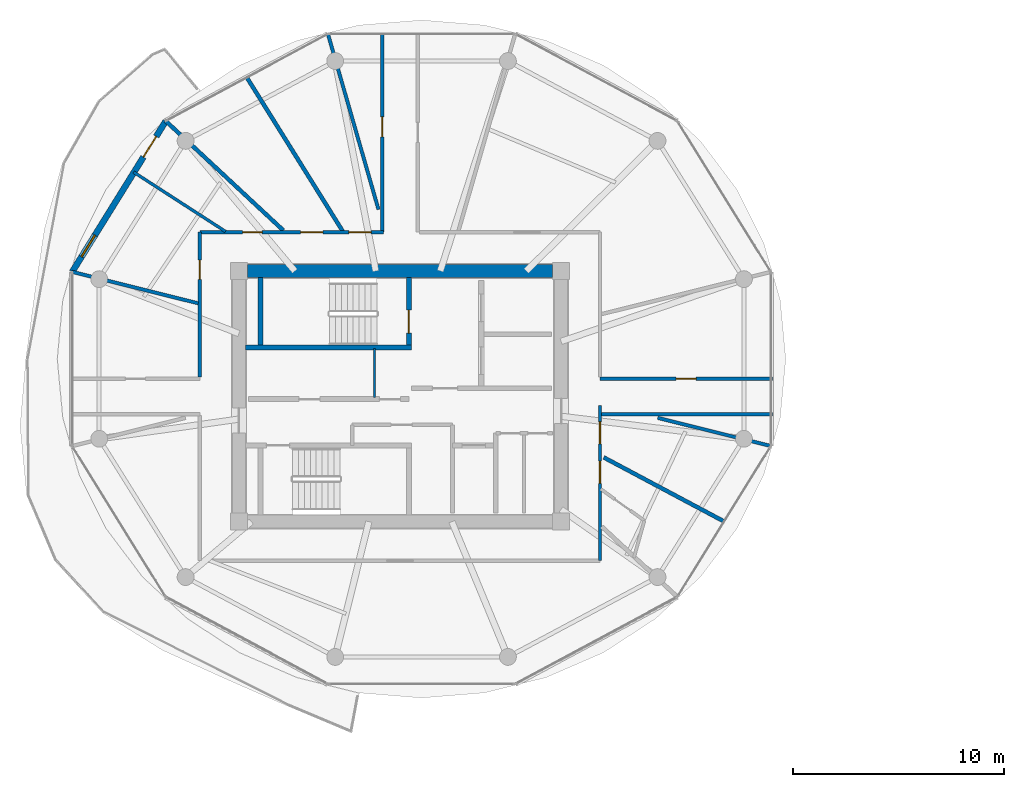
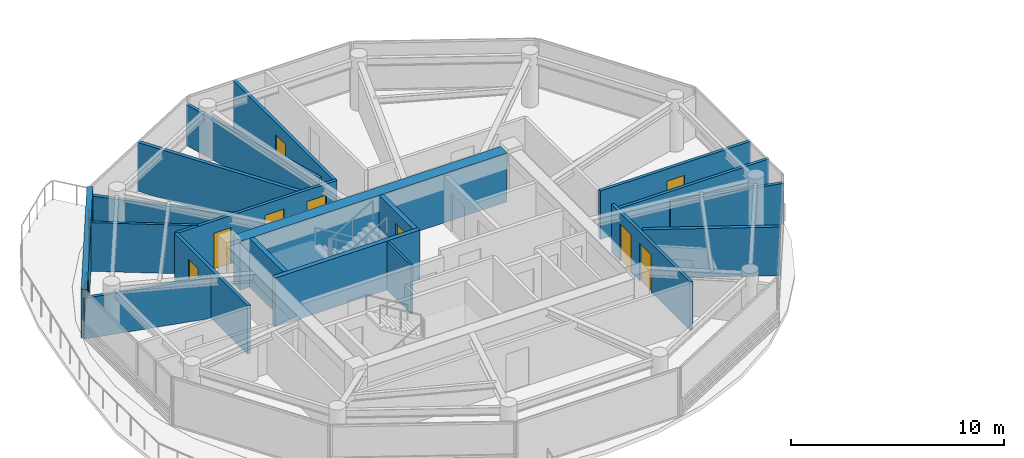
# One storey, part 14 of 23: 19 walls, 10 doors, 1 window, 11 openings.
"""IFC4 building model written with IfcOpenShell, lengths in metres."""

from ifc_helpers import new_model, si_unit, direction, frame, frame_2d, origin, place, context, subcontext, project, spatial, rectangle, extrude, source, transform, mapped, material, layer, layer_set, type_object, type_shapes, element, fill, save


model = new_model("IFC4")

# Units and contexts
model_context = context("Model", 3, precision=1e-05, world=origin(), true_north=direction((0.0, 1.0)))
body_context = subcontext(model_context, "Body", "Model", "MODEL_VIEW")
ifc_project = project(units=[si_unit("LENGTHUNIT", "METRE"), si_unit("AREAUNIT", "SQUARE_METRE"), si_unit("VOLUMEUNIT", "CUBIC_METRE"), si_unit("PLANEANGLEUNIT", "RADIAN"), si_unit("MASSUNIT", "GRAM", prefix="KILO")], contexts=[model_context])

# Site, building, storey
site_placement = place(None, origin())
site = spatial("IfcSite", under=ifc_project, at=site_placement, CompositionType="ELEMENT")
building_placement = place(site_placement, origin())
building = spatial("IfcBuilding", under=site, at=building_placement, Name="Norrkilde Senior Care Towers", CompositionType="ELEMENT")
storey_placement = place(building_placement, frame((0.0, 0.0, 164.800048828125)))
storey = spatial("IfcBuildingStorey", under=building, at=storey_placement, Name="L51", CompositionType="ELEMENT", Elevation=164.800048828125)

# Wall
ifc_material_1 = material(Name="Concrete C50/60", Category="concrete")
ifc_layer_1 = layer(ifc_material_1, 0.6201171875)
ifc_layer_set_1 = layer_set([ifc_layer_1], Name="Concrete C50/60")
wall_type_1 = type_object("IfcWallType", Name="Core Shear Wall Z3 620", PredefinedType="SHEAR", material=ifc_layer_set_1)
shared_shape_1 = source(origin(), body_context, "Body", "SweptSolid", [
    extrude(rectangle(XDim=14.5, YDim=0.6201171875, at=frame_2d((7.25, 0.0))), origin(), (0.0, 0.0, 1.0), 2.81005859375),
])
type_shapes(wall_type_1, [shared_shape_1])
wall_1_placement = place(storey_placement, frame((-35.25, 5.949951171875, 0.0), z_axis=(0.0, 0.0, 1.0), x_axis=(1.0, 0.0, 0.0)))
element("IfcWall", 1, at=wall_1_placement, inside=storey, type_object=wall_type_1, Name="L51 Core W North Shear Wall", PredefinedType="SHEAR", context=body_context, shape_type="MappedRepresentation", body=[
    mapped(shared_shape_1, transform((0.0, 0.0, 0.0), x_axis=(1.0, 0.0, 0.0), y_axis=(0.0, 1.0, 0.0), z_axis=(0.0, 0.0, 1.0), scale=1.0)),
])

# Wall, openings, door, window
ifc_material_2 = material(Name="Precast concrete C45/55", Category="concrete")
ifc_layer_2 = layer(ifc_material_2, 0.2900390625)
ifc_layer_set_2 = layer_set([ifc_layer_2], Name="Precast concrete C45/55")
wall_type_2 = type_object("IfcWallType", Name="Winter Garden Facade Wall 290", PredefinedType="SOLIDWALL", material=ifc_layer_set_2)
shared_shape_2 = source(origin(), body_context, "Body", "SweptSolid", [
    extrude(rectangle(XDim=8.431396484375, YDim=0.2900390625, at=frame_2d((4.2158203125, 0.0))), origin(), (0.0, 0.0, 1.0), 2.81005859375),
])
type_shapes(wall_type_2, [shared_shape_2])
wall_2_placement = place(storey_placement, frame((-43.569580078125, 5.911376953125, 0.0), z_axis=(0.0, 0.0, 1.0), x_axis=(0.527377998418, 0.849630770855, 0.0)))
wall_2 = element("IfcWall", 2, at=wall_2_placement, inside=storey, type_object=wall_type_2, Name="L51 Drum W Balcony Access Wall 04", PredefinedType="SOLIDWALL", context=body_context, shape_type="MappedRepresentation", body=[
    mapped(shared_shape_2, transform((0.0, 0.0, 0.0), x_axis=(1.0, 0.0, 0.0), y_axis=(0.0, 1.0, 0.0), z_axis=(0.0, 0.0, 1.0), scale=1.0)),
])
opening_1_placement = place(wall_2_placement, frame((6.419921875, 0.0, 0.0)))
opening_1 = element("IfcOpeningElement", 3, at=opening_1_placement, cuts=wall_2, Name="Opening D-09", PredefinedType="OPENING", context=body_context, shape_type="SweptSolid", body=[
    extrude(rectangle(XDim=1.14990234375, YDim=2.25, at=frame_2d((0.574951171875, 1.125))), frame((0.0, 0.155029296875, 0.0), z_axis=(0.0, -1.0, 0.0), x_axis=(1.0, 0.0, 0.0)), (0.0, 0.0, 1.0), 0.31005859375),
])
opening_2_placement = place(wall_2_placement, frame((0.85009765625, 0.0, 0.85009765625)))
opening_2 = element("IfcOpeningElement", 4, at=opening_2_placement, cuts=wall_2, Name="Opening WN-07", PredefinedType="OPENING", context=body_context, shape_type="SweptSolid", body=[
    extrude(rectangle(XDim=1.199951171875, YDim=1.5, at=frame_2d((0.60009765625, 0.75))), frame((0.0, 0.155029296875, 0.0), z_axis=(0.0, -1.0, 0.0), x_axis=(1.0, 0.0, 0.0)), (0.0, 0.0, 1.0), 0.31005859375),
])
ifc_material_3 = material(Name="Anodised Aluminium", Category="aluminium")
door_type_1 = type_object("IfcDoorType", Name="Terrace and Balcony Glazed Door 1150x2250", OperationType="NOTDEFINED", PredefinedType="DOOR", material=ifc_material_3)
shared_shape_3 = source(origin(), body_context, "Body", "SweptSolid", [
    extrude(rectangle(XDim=1.14990234375, YDim=2.25, at=frame_2d((0.574951171875, 1.125))), frame((0.0, 0.02490234375, 0.0), z_axis=(0.0, -1.0, 0.0), x_axis=(1.0, 0.0, 0.0)), (0.0, 0.0, 1.0), 0.050048828125),
])
type_shapes(door_type_1, [shared_shape_3])
door_1_placement = place(opening_1_placement, origin())
door_1 = element("IfcDoor", 5, at=door_1_placement, inside=storey, type_object=door_type_1, Name="L51 Drum W Outdoor Terrace Door 04", OperationType="SINGLE_SWING_LEFT", OverallHeight=2.25, OverallWidth=1.14990234375, PredefinedType="DOOR", context=body_context, shape_type="MappedRepresentation", body=[
    mapped(shared_shape_3, transform((0.0, 0.0, 0.0), x_axis=(1.0, 0.0, 0.0), y_axis=(0.0, 1.0, 0.0), z_axis=(0.0, 0.0, 1.0), scale=1.0)),
])
fill(opening_1, door_1)
ifc_material_4 = material(Name="Triple Low-E Insulated Glazing", Category="glass")
window_type = type_object("IfcWindowType", Name="Stairwell Smoke Vent Window 1200x1500", PartitioningType="SINGLE_PANEL", PredefinedType="WINDOW", material=ifc_material_4)
shared_shape_4 = source(origin(), body_context, "Body", "SweptSolid", [
    extrude(rectangle(XDim=1.199951171875, YDim=1.5, at=frame_2d((0.60009765625, 0.75))), frame((0.0, 0.030029296875, 0.0), z_axis=(0.0, -1.0, 0.0), x_axis=(1.0, 0.0, 0.0)), (0.0, 0.0, 1.0), 0.06005859375),
])
type_shapes(window_type, [shared_shape_4])
window_placement = place(opening_2_placement, origin())
window = element("IfcWindow", 6, at=window_placement, inside=storey, type_object=window_type, Name="L51 Drum W Winter Garden Window 04", OverallHeight=1.5, OverallWidth=1.199951171875, PartitioningType="SINGLE_PANEL", PredefinedType="WINDOW", context=body_context, shape_type="MappedRepresentation", body=[
    mapped(shared_shape_4, transform((0.0, 0.0, 0.0), x_axis=(1.0, 0.0, 0.0), y_axis=(0.0, 1.0, 0.0), z_axis=(0.0, 0.0, 1.0), scale=1.0)),
])
fill(opening_2, window)

# Walls
ifc_material_5 = material(Name="Concrete C45/55", Category="concrete")
ifc_layer_3 = layer(ifc_material_5, 0.239990234375)
ifc_layer_set_3 = layer_set([ifc_layer_3], Name="Concrete C45/55")
wall_type_3 = type_object("IfcWallType", Name="Shaft and Stair Enclosure Wall 240", PredefinedType="PARTITIONING", material=ifc_layer_set_3)
shared_shape_5 = source(origin(), body_context, "Body", "SweptSolid", [
    extrude(rectangle(XDim=7.880126953125, YDim=0.239990234375, at=frame_2d((3.93994140625, 0.0))), origin(), (0.0, 0.0, 1.0), 2.81005859375),
])
wall_3_placement = place(storey_placement, frame((-35.340087890625, 2.330078125, 0.0), z_axis=(0.0, 0.0, 1.0), x_axis=(1.0, 0.0, 0.0)))
element("IfcWall", 7, at=wall_3_placement, inside=storey, type_object=wall_type_3, Name="WL-INT-L51-W-ST1S", PredefinedType="PARTITIONING", context=body_context, shape_type="MappedRepresentation", body=[
    mapped(shared_shape_5, transform((0.0, 0.0, 0.0), x_axis=(1.0, 0.0, 0.0), y_axis=(0.0, 1.0, 0.0), z_axis=(0.0, 0.0, 1.0), scale=1.0)),
])
shared_shape_6 = source(origin(), body_context, "Body", "SweptSolid", [
    extrude(rectangle(XDim=3.18994140625, YDim=0.239990234375, at=frame_2d((1.594970703125, 0.0))), origin(), (0.0, 0.0, 1.0), 2.81005859375),
])
type_shapes(wall_type_3, [shared_shape_5, shared_shape_6])
wall_4_placement = place(storey_placement, frame((-34.6201171875, 2.449951171875, 0.0), z_axis=(0.0, 0.0, 1.0), x_axis=(0.0, 1.0, 0.0)))
element("IfcWall", 8, at=wall_4_placement, inside=storey, type_object=wall_type_3, Name="WL-INT-L51-W-ST1W", PredefinedType="PARTITIONING", context=body_context, shape_type="MappedRepresentation", body=[
    mapped(shared_shape_6, transform((0.0, 0.0, 0.0), x_axis=(1.0, 0.0, 0.0), y_axis=(0.0, 1.0, 0.0), z_axis=(0.0, 0.0, 1.0), scale=1.0)),
])

# Wall, opening, door
wall_5_placement = place(storey_placement, frame((-27.580078125, 2.449951171875, 0.0), z_axis=(0.0, 0.0, 1.0), x_axis=(0.0, 1.0, 0.0)))
wall_5 = element("IfcWall", 9, at=wall_5_placement, inside=storey, type_object=wall_type_3, Name="WL-INT-L51-W-ST1E", PredefinedType="PARTITIONING", context=body_context, shape_type="MappedRepresentation", body=[
    mapped(shared_shape_6, transform((0.0, 0.0, 0.0), x_axis=(1.0, 0.0, 0.0), y_axis=(0.0, 1.0, 0.0), z_axis=(0.0, 0.0, 1.0), scale=1.0)),
])
opening_3_placement = place(wall_5_placement, frame((0.550048828125, 0.0, 0.0)))
opening_3 = element("IfcOpeningElement", 10, at=opening_3_placement, cuts=wall_5, Name="Opening D-03", PredefinedType="OPENING", context=body_context, shape_type="SweptSolid", body=[
    extrude(rectangle(XDim=1.10009765625, YDim=2.14990234375, at=frame_2d((0.550048828125, 1.074951171875))), frame((0.0, 0.1298828125, 0.0), z_axis=(0.0, -1.0, 0.0), x_axis=(1.0, 0.0, 0.0)), (0.0, 0.0, 1.0), 0.260009765625),
])
ifc_material_6 = material(Name="Galvanised Painted Steel", Category="steel")
door_type_2 = type_object("IfcDoorType", Name="Stairwell Protected Fire Door 1100x2150", OperationType="NOTDEFINED", PredefinedType="DOOR", material=ifc_material_6)
shared_shape_7 = source(origin(), body_context, "Body", "SweptSolid", [
    extrude(rectangle(XDim=1.10009765625, YDim=2.14990234375, at=frame_2d((0.550048828125, 1.074951171875))), frame((0.0, 0.02490234375, 0.0), z_axis=(0.0, -1.0, 0.0), x_axis=(1.0, 0.0, 0.0)), (0.0, 0.0, 1.0), 0.050048828125),
])
type_shapes(door_type_2, [shared_shape_7])
door_2_placement = place(opening_3_placement, origin())
door_2 = element("IfcDoor", 11, at=door_2_placement, inside=storey, type_object=door_type_2, Name="L51 Stair W1 Fire Door", OperationType="SINGLE_SWING_LEFT", OverallHeight=2.14990234375, OverallWidth=1.10009765625, PredefinedType="DOOR", context=body_context, shape_type="MappedRepresentation", body=[
    mapped(shared_shape_7, transform((0.0, 0.0, 0.0), x_axis=(1.0, 0.0, 0.0), y_axis=(0.0, 1.0, 0.0), z_axis=(0.0, 0.0, 1.0), scale=1.0)),
])
fill(opening_3, door_2)

# Walls
ifc_material_7 = material(Name="Gypsum Acoustic Board")
ifc_layer_4 = layer(ifc_material_7, 0.114990234375)
ifc_layer_set_4 = layer_set([ifc_layer_4], Name="Gypsum Acoustic Board")
wall_type_4 = type_object("IfcWallType", Name="Internal Room Partition 115", PredefinedType="PARTITIONING", material=ifc_layer_set_4)
shared_shape_8 = source(origin(), body_context, "Body", "SweptSolid", [
    extrude(rectangle(XDim=2.330078125, YDim=0.114990234375, at=frame_2d((1.1650390625, 0.0))), origin(), (0.0, 0.0, 1.0), 2.794921875),
])
type_shapes(wall_type_4, [shared_shape_8])
wall_6_placement = place(storey_placement, frame((-29.2099609375, -0.050048828125, 0.0), z_axis=(0.0, 0.0, 1.0), x_axis=(0.0, 1.0, 0.0)))
element("IfcWall", 12, at=wall_6_placement, inside=storey, type_object=wall_type_4, Name="WL-INT-L51-W-RISW", PredefinedType="PARTITIONING", context=body_context, shape_type="MappedRepresentation", body=[
    mapped(shared_shape_8, transform((0.0, 0.0, 0.0), x_axis=(1.0, 0.0, 0.0), y_axis=(0.0, 1.0, 0.0), z_axis=(0.0, 0.0, 1.0), scale=1.0)),
])
ifc_layer_5 = layer(ifc_material_7, 0.18994140625)
ifc_layer_set_5 = layer_set([ifc_layer_5], Name="Gypsum Acoustic Board")
wall_type_5 = type_object("IfcWallType", Name="Unit Demising Acoustic Wall 190", PredefinedType="PARTITIONING", material=ifc_layer_set_5)
shared_shape_9 = source(origin(), body_context, "Body", "SweptSolid", [
    extrude(rectangle(XDim=6.499267578125, YDim=0.18994140625, at=frame_2d((3.24951171875, 0.0))), origin(), (0.0, 0.0, 1.0), 2.794921875),
])
wall_7_placement = place(storey_placement, frame((-18.32373046875, -2.89794921875, 0.0), z_axis=(0.0, 0.0, 1.0), x_axis=(0.882700013711, -0.469936895545, 0.0)))
element("IfcWall", 13, at=wall_7_placement, inside=storey, type_object=wall_type_5, Name="WL-INT-L51-W-CMID-10", PredefinedType="PARTITIONING", context=body_context, shape_type="MappedRepresentation", body=[
    mapped(shared_shape_9, transform((0.0, 0.0, 0.0), x_axis=(1.0, 0.0, 0.0), y_axis=(0.0, 1.0, 0.0), z_axis=(0.0, 0.0, 1.0), scale=1.0)),
])

# Wall, openings, doors
ifc_layer_6 = layer(ifc_material_7, 0.1650390625)
ifc_layer_set_6 = layer_set([ifc_layer_6], Name="Gypsum Acoustic Board")
wall_type_6 = type_object("IfcWallType", Name="Corridor Rated Partition 165", PredefinedType="PARTITIONING", material=ifc_layer_set_6)
shared_shape_10 = source(origin(), body_context, "Body", "SweptSolid", [
    extrude(rectangle(XDim=8.719482421875, YDim=0.1650390625, at=frame_2d((4.35986328125, 0.0))), origin(), (0.0, 0.0, 1.0), 2.794921875),
])
wall_8_placement = place(storey_placement, frame((-37.5, 7.800048828125, 0.0), z_axis=(0.0, 0.0, 1.0), x_axis=(1.0, 0.0, 0.0)))
wall_8 = element("IfcWall", 14, at=wall_8_placement, inside=storey, type_object=wall_type_6, Name="WL-INT-L51-W-CRW-N-0", PredefinedType="PARTITIONING", context=body_context, shape_type="MappedRepresentation", body=[
    mapped(shared_shape_10, transform((0.0, 0.0, 0.0), x_axis=(1.0, 0.0, 0.0), y_axis=(0.0, 1.0, 0.0), z_axis=(0.0, 0.0, 1.0), scale=1.0)),
])
opening_4_placement = place(wall_8_placement, frame((7.073486328125, 0.0, 0.0)))
opening_4 = element("IfcOpeningElement", 15, at=opening_4_placement, cuts=wall_8, Name="Opening D-06", PredefinedType="OPENING", context=body_context, shape_type="SweptSolid", body=[
    extrude(rectangle(XDim=1.050048828125, YDim=2.14990234375, at=frame_2d((0.52490234375, 1.074951171875))), frame((0.0, 0.092529296875, 0.0), z_axis=(0.0, -1.0, 0.0), x_axis=(1.0, 0.0, 0.0)), (0.0, 0.0, 1.0), 0.18505859375),
])
opening_5_placement = place(wall_8_placement, frame((4.78466796875, 0.0, 0.0)))
opening_5 = element("IfcOpeningElement", 16, at=opening_5_placement, cuts=wall_8, Name="Opening D-06", PredefinedType="OPENING", context=body_context, shape_type="SweptSolid", body=[
    extrude(rectangle(XDim=1.050048828125, YDim=2.14990234375, at=frame_2d((0.52490234375, 1.074951171875))), frame((0.0, 0.092529296875, 0.0), z_axis=(0.0, -1.0, 0.0), x_axis=(1.0, 0.0, 0.0)), (0.0, 0.0, 1.0), 0.18505859375),
])
opening_6_placement = place(wall_8_placement, frame((2.027587890625, 0.0, 0.0)))
opening_6 = element("IfcOpeningElement", 17, at=opening_6_placement, cuts=wall_8, Name="Opening D-08", PredefinedType="OPENING", context=body_context, shape_type="SweptSolid", body=[
    extrude(rectangle(XDim=0.919921875, YDim=2.10009765625, at=frame_2d((0.4599609375, 1.050048828125))), frame((0.0, 0.092529296875, 0.0), z_axis=(0.0, -1.0, 0.0), x_axis=(1.0, 0.0, 0.0)), (0.0, 0.0, 1.0), 0.18505859375),
])
ifc_material_8 = material(Name="Nordic Ash Timber", Category="wood")
door_type_3 = type_object("IfcDoorType", Name="Accessible Wet Room Door 920x2100", OperationType="NOTDEFINED", PredefinedType="DOOR", material=ifc_material_8)
shared_shape_11 = source(origin(), body_context, "Body", "SweptSolid", [
    extrude(rectangle(XDim=0.919921875, YDim=2.10009765625, at=frame_2d((0.4599609375, 1.050048828125))), frame((0.0, 0.02490234375, 0.0), z_axis=(0.0, -1.0, 0.0), x_axis=(1.0, 0.0, 0.0)), (0.0, 0.0, 1.0), 0.050048828125),
])
type_shapes(door_type_3, [shared_shape_11])
door_3_placement = place(opening_6_placement, frame((0.919921875, 0.0, 0.0), z_axis=(0.0, 0.0, 1.0), x_axis=(-1.0, 0.0, 0.0)))
door_3 = element("IfcDoor", 18, at=door_3_placement, inside=storey, type_object=door_type_3, Name="L51 Accessible Restroom Door", OperationType="SINGLE_SWING_LEFT", OverallHeight=2.10009765625, OverallWidth=0.919921875, PredefinedType="DOOR", context=body_context, shape_type="MappedRepresentation", body=[
    mapped(shared_shape_11, transform((0.0, 0.0, 0.0), x_axis=(1.0, 0.0, 0.0), y_axis=(0.0, 1.0, 0.0), z_axis=(0.0, 0.0, 1.0), scale=1.0)),
])
fill(opening_6, door_3)
door_type_4 = type_object("IfcDoorType", Name="Apartment Entrance Fire Door 1050x2150", OperationType="NOTDEFINED", PredefinedType="DOOR", material=ifc_material_8)
shared_shape_12 = source(origin(), body_context, "Body", "SweptSolid", [
    extrude(rectangle(XDim=1.050048828125, YDim=2.14990234375, at=frame_2d((0.52490234375, 1.074951171875))), frame((0.0, 0.02490234375, 0.0), z_axis=(0.0, -1.0, 0.0), x_axis=(1.0, 0.0, 0.0)), (0.0, 0.0, 1.0), 0.050048828125),
])
type_shapes(door_type_4, [shared_shape_12])
door_4_placement = place(opening_4_placement, frame((1.050048828125, 0.0, 0.0), z_axis=(0.0, 0.0, 1.0), x_axis=(-1.0, 0.0, 0.0)))
door_4 = element("IfcDoor", 19, at=door_4_placement, inside=storey, type_object=door_type_4, Name="L51 Physiotherapy Clinic 3A Door", OperationType="SINGLE_SWING_RIGHT", OverallHeight=2.14990234375, OverallWidth=1.050048828125, PredefinedType="DOOR", context=body_context, shape_type="MappedRepresentation", body=[
    mapped(shared_shape_12, transform((0.0, 0.0, 0.0), x_axis=(1.0, 0.0, 0.0), y_axis=(0.0, 1.0, 0.0), z_axis=(0.0, 0.0, 1.0), scale=1.0)),
])
fill(opening_4, door_4)
door_5_placement = place(opening_5_placement, frame((1.050048828125, 0.0, 0.0), z_axis=(0.0, 0.0, 1.0), x_axis=(-1.0, 0.0, 0.0)))
door_5 = element("IfcDoor", 20, at=door_5_placement, inside=storey, type_object=door_type_4, Name="L51 Assessment Clinic 3B Door", OperationType="SINGLE_SWING_LEFT", OverallHeight=2.14990234375, OverallWidth=1.050048828125, PredefinedType="DOOR", context=body_context, shape_type="MappedRepresentation", body=[
    mapped(shared_shape_12, transform((0.0, 0.0, 0.0), x_axis=(1.0, 0.0, 0.0), y_axis=(0.0, 1.0, 0.0), z_axis=(0.0, 0.0, 1.0), scale=1.0)),
])
fill(opening_5, door_5)

# Walls
shared_shape_13 = source(origin(), body_context, "Body", "SweptSolid", [
    extrude(rectangle(XDim=7.64794921875, YDim=0.18994140625, at=frame_2d((3.823974609375, 0.0))), origin(), (0.0, 0.0, 1.0), 2.344970703125),
])
wall_9_placement = place(storey_placement, frame((-33.53759765625, 7.8798828125, 0.0), z_axis=(0.0, 0.0, 1.0), x_axis=(-0.732167856666, 0.681124239522, 0.0)))
element("IfcWall", 21, at=wall_9_placement, inside=storey, type_object=wall_type_5, Name="WL-INT-L51-W-DEM-04-0", PredefinedType="PARTITIONING", context=body_context, shape_type="MappedRepresentation", body=[
    mapped(shared_shape_13, transform((0.0, 0.0, 0.0), x_axis=(1.0, 0.0, 0.0), y_axis=(0.0, 1.0, 0.0), z_axis=(0.0, 0.0, 1.0), scale=1.0)),
])
ifc_layer_7 = layer(ifc_material_7, 0.139892578125)
ifc_layer_set_7 = layer_set([ifc_layer_7], Name="Gypsum Acoustic Board")
wall_type_7 = type_object("IfcWallType", Name="En-suite Wet Room Wall 140", PredefinedType="PARTITIONING", material=ifc_layer_set_7)
shared_shape_14 = source(origin(), body_context, "Body", "SweptSolid", [
    extrude(rectangle(XDim=5.19677734375, YDim=0.139892578125, at=frame_2d((2.598388671875, 0.0))), origin(), (0.0, 0.0, 1.0), 2.794921875),
])
type_shapes(wall_type_7, [shared_shape_14])
wall_10_placement = place(storey_placement, frame((-36.285888671875, 7.830078125, 0.0), z_axis=(0.0, 0.0, 1.0), x_axis=(-0.839929187515, 0.542696010637, 0.0)))
element("IfcWall", 22, at=wall_10_placement, inside=storey, type_object=wall_type_7, Name="WL-INT-L51-W-MID-04", PredefinedType="PARTITIONING", context=body_context, shape_type="MappedRepresentation", body=[
    mapped(shared_shape_14, transform((0.0, 0.0, 0.0), x_axis=(1.0, 0.0, 0.0), y_axis=(0.0, 1.0, 0.0), z_axis=(0.0, 0.0, 1.0), scale=1.0)),
])
shared_shape_15 = source(origin(), body_context, "Body", "SweptSolid", [
    extrude(rectangle(XDim=8.695068359375, YDim=0.1650390625, at=frame_2d((4.34765625, 0.0))), origin(), (0.0, 0.0, 1.0), 2.344970703125),
])
wall_11_placement = place(storey_placement, frame((-29.02001953125, 8.875, 0.0), z_axis=(0.0, 0.0, 1.0), x_axis=(-0.276797231892, 0.960928349263, 0.0)))
element("IfcWall", 23, at=wall_11_placement, inside=storey, type_object=wall_type_6, Name="WL-INT-L51-W-DEM-03-0", PredefinedType="PARTITIONING", context=body_context, shape_type="MappedRepresentation", body=[
    mapped(shared_shape_15, transform((0.0, 0.0, 0.0), x_axis=(1.0, 0.0, 0.0), y_axis=(0.0, 1.0, 0.0), z_axis=(0.0, 0.0, 1.0), scale=1.0)),
])
shared_shape_16 = source(origin(), body_context, "Body", "SweptSolid", [
    extrude(rectangle(XDim=6.192626953125, YDim=0.1650390625, at=frame_2d((3.09619140625, 0.0))), origin(), (0.0, 0.0, 1.0), 2.344970703125),
])
wall_12_placement = place(storey_placement, frame((-37.580078125, 4.418701171875, 0.0), z_axis=(0.0, 0.0, 1.0), x_axis=(-0.970309243466, 0.241867674657, 0.0)))
element("IfcWall", 24, at=wall_12_placement, inside=storey, type_object=wall_type_6, Name="WL-INT-L51-W-DEM-05-0", PredefinedType="PARTITIONING", context=body_context, shape_type="MappedRepresentation", body=[
    mapped(shared_shape_16, transform((0.0, 0.0, 0.0), x_axis=(1.0, 0.0, 0.0), y_axis=(0.0, 1.0, 0.0), z_axis=(0.0, 0.0, 1.0), scale=1.0)),
])
shared_shape_17 = source(origin(), body_context, "Body", "SweptSolid", [
    extrude(rectangle(XDim=5.564453125, YDim=0.1650390625, at=frame_2d((2.7822265625, 0.0))), origin(), (0.0, 0.0, 1.0), 2.344970703125),
])
wall_13_placement = place(storey_placement, frame((-15.76025390625, -1.02001953125, 0.0), z_axis=(0.0, 0.0, 1.0), x_axis=(0.970315176167, -0.241843872984, 0.0)))
element("IfcWall", 25, at=wall_13_placement, inside=storey, type_object=wall_type_6, Name="WL-INT-L51-W-DEM-11-0", PredefinedType="PARTITIONING", context=body_context, shape_type="MappedRepresentation", body=[
    mapped(shared_shape_17, transform((0.0, 0.0, 0.0), x_axis=(1.0, 0.0, 0.0), y_axis=(0.0, 1.0, 0.0), z_axis=(0.0, 0.0, 1.0), scale=1.0)),
])

# Wall, opening, door
shared_shape_18 = source(origin(), body_context, "Body", "SweptSolid", [
    extrude(rectangle(XDim=6.880126953125, YDim=0.1650390625, at=frame_2d((3.43994140625, 0.0))), origin(), (0.0, 0.0, 1.0), 2.794921875),
])
wall_14_placement = place(storey_placement, frame((-37.5, 0.919921875, 0.0), z_axis=(0.0, 0.0, 1.0), x_axis=(0.0, 1.0, 0.0)))
wall_14 = element("IfcWall", 26, at=wall_14_placement, inside=storey, type_object=wall_type_6, Name="WL-INT-L51-W-CRW-W-1", PredefinedType="PARTITIONING", context=body_context, shape_type="MappedRepresentation", body=[
    mapped(shared_shape_18, transform((0.0, 0.0, 0.0), x_axis=(1.0, 0.0, 0.0), y_axis=(0.0, 1.0, 0.0), z_axis=(0.0, 0.0, 1.0), scale=1.0)),
])
opening_7_placement = place(wall_14_placement, frame((4.63623046875, 0.0, 0.0)))
opening_7 = element("IfcOpeningElement", 27, at=opening_7_placement, cuts=wall_14, Name="Opening D-08", PredefinedType="OPENING", context=body_context, shape_type="SweptSolid", body=[
    extrude(rectangle(XDim=0.919921875, YDim=2.10009765625, at=frame_2d((0.4599609375, 1.050048828125))), frame((0.0, 0.092529296875, 0.0), z_axis=(0.0, -1.0, 0.0), x_axis=(1.0, 0.0, 0.0)), (0.0, 0.0, 1.0), 0.18505859375),
])
door_6_placement = place(opening_7_placement, frame((0.919921875, 0.0, 0.0), z_axis=(0.0, 0.0, 1.0), x_axis=(-1.0, 0.0, 0.0)))
door_6 = element("IfcDoor", 28, at=door_6_placement, inside=storey, type_object=door_type_3, Name="L51 Public Restroom Door", OperationType="SINGLE_SWING_RIGHT", OverallHeight=2.10009765625, OverallWidth=0.919921875, PredefinedType="DOOR", context=body_context, shape_type="MappedRepresentation", body=[
    mapped(shared_shape_11, transform((0.0, 0.0, 0.0), x_axis=(1.0, 0.0, 0.0), y_axis=(0.0, 1.0, 0.0), z_axis=(0.0, 0.0, 1.0), scale=1.0)),
])
fill(opening_7, door_6)

# Wall, openings, doors
shared_shape_19 = source(origin(), body_context, "Body", "SweptSolid", [
    extrude(rectangle(XDim=7.364501953125, YDim=0.1650390625, at=frame_2d((3.68212890625, 0.0))), origin(), (0.0, 0.0, 1.0), 2.794921875),
])
wall_15_placement = place(storey_placement, frame((-18.5, -0.435546875, 0.0), z_axis=(0.0, 0.0, 1.0), x_axis=(0.0, -1.0, 0.0)))
wall_15 = element("IfcWall", 29, at=wall_15_placement, inside=storey, type_object=wall_type_6, Name="WL-INT-L51-W-CRW-E-1", PredefinedType="PARTITIONING", context=body_context, shape_type="MappedRepresentation", body=[
    mapped(shared_shape_19, transform((0.0, 0.0, 0.0), x_axis=(1.0, 0.0, 0.0), y_axis=(0.0, 1.0, 0.0), z_axis=(0.0, 0.0, 1.0), scale=1.0)),
])
opening_8_placement = place(wall_15_placement, frame((2.6455078125, 0.0, 0.0)))
opening_8 = element("IfcOpeningElement", 30, at=opening_8_placement, cuts=wall_15, Name="Opening D-06", PredefinedType="OPENING", context=body_context, shape_type="SweptSolid", body=[
    extrude(rectangle(XDim=1.050048828125, YDim=2.14990234375, at=frame_2d((0.52490234375, 1.074951171875))), frame((0.0, 0.092529296875, 0.0), z_axis=(0.0, -1.0, 0.0), x_axis=(1.0, 0.0, 0.0)), (0.0, 0.0, 1.0), 0.18505859375),
])
opening_9_placement = place(wall_15_placement, frame((0.774169921875, 0.0, 0.0)))
opening_9 = element("IfcOpeningElement", 31, at=opening_9_placement, cuts=wall_15, Name="Opening D-06", PredefinedType="OPENING", context=body_context, shape_type="SweptSolid", body=[
    extrude(rectangle(XDim=1.050048828125, YDim=2.14990234375, at=frame_2d((0.52490234375, 1.074951171875))), frame((0.0, 0.092529296875, 0.0), z_axis=(0.0, -1.0, 0.0), x_axis=(1.0, 0.0, 0.0)), (0.0, 0.0, 1.0), 0.18505859375),
])
door_7_placement = place(opening_8_placement, frame((1.050048828125, 0.0, 0.0), z_axis=(0.0, 0.0, 1.0), x_axis=(-1.0, 0.0, 0.0)))
door_7 = element("IfcDoor", 32, at=door_7_placement, inside=storey, type_object=door_type_4, Name="L51 Care Suite 5110A Entrance Door", OperationType="SINGLE_SWING_LEFT", OverallHeight=2.14990234375, OverallWidth=1.050048828125, PredefinedType="DOOR", context=body_context, shape_type="MappedRepresentation", body=[
    mapped(shared_shape_12, transform((0.0, 0.0, 0.0), x_axis=(1.0, 0.0, 0.0), y_axis=(0.0, 1.0, 0.0), z_axis=(0.0, 0.0, 1.0), scale=1.0)),
])
fill(opening_8, door_7)
door_8_placement = place(opening_9_placement, frame((1.050048828125, 0.0, 0.0), z_axis=(0.0, 0.0, 1.0), x_axis=(-1.0, 0.0, 0.0)))
door_8 = element("IfcDoor", 33, at=door_8_placement, inside=storey, type_object=door_type_4, Name="L51 Therapy Day Lounge 10 Door", OperationType="SINGLE_SWING_RIGHT", OverallHeight=2.14990234375, OverallWidth=1.050048828125, PredefinedType="DOOR", context=body_context, shape_type="MappedRepresentation", body=[
    mapped(shared_shape_12, transform((0.0, 0.0, 0.0), x_axis=(1.0, 0.0, 0.0), y_axis=(0.0, 1.0, 0.0), z_axis=(0.0, 0.0, 1.0), scale=1.0)),
])
fill(opening_9, door_8)

# Wall, opening, door
shared_shape_20 = source(origin(), body_context, "Body", "SweptSolid", [
    extrude(rectangle(XDim=9.480224609375, YDim=0.1650390625, at=frame_2d((4.740234375, 0.0))), origin(), (0.0, 0.0, 1.0), 2.794921875),
])
wall_16_placement = place(storey_placement, frame((-28.840087890625, 7.800048828125, 0.0), z_axis=(0.0, 0.0, 1.0), x_axis=(0.0, 1.0, 0.0)))
wall_16 = element("IfcWall", 34, at=wall_16_placement, inside=storey, type_object=wall_type_6, Name="WL-INT-L51-W-SPK-N1-0", PredefinedType="PARTITIONING", context=body_context, shape_type="MappedRepresentation", body=[
    mapped(shared_shape_20, transform((0.0, 0.0, 0.0), x_axis=(1.0, 0.0, 0.0), y_axis=(0.0, 1.0, 0.0), z_axis=(0.0, 0.0, 1.0), scale=1.0)),
])
opening_10_placement = place(wall_16_placement, frame((4.5205078125, 0.0, 0.0)))
opening_10 = element("IfcOpeningElement", 35, at=opening_10_placement, cuts=wall_16, Name="Opening D-07", PredefinedType="OPENING", context=body_context, shape_type="SweptSolid", body=[
    extrude(rectangle(XDim=0.949951171875, YDim=2.10009765625, at=frame_2d((0.47509765625, 1.050048828125))), frame((0.0, 0.092529296875, 0.0), z_axis=(0.0, -1.0, 0.0), x_axis=(1.0, 0.0, 0.0)), (0.0, 0.0, 1.0), 0.18505859375),
])
door_type_5 = type_object("IfcDoorType", Name="Internal Suite Bedroom Door 950x2100", OperationType="NOTDEFINED", PredefinedType="DOOR", material=ifc_material_8)
shared_shape_21 = source(origin(), body_context, "Body", "SweptSolid", [
    extrude(rectangle(XDim=0.949951171875, YDim=2.10009765625, at=frame_2d((0.47509765625, 1.050048828125))), frame((0.0, 0.02490234375, 0.0), z_axis=(0.0, -1.0, 0.0), x_axis=(1.0, 0.0, 0.0)), (0.0, 0.0, 1.0), 0.050048828125),
])
type_shapes(door_type_5, [shared_shape_21])
door_9_placement = place(opening_10_placement, frame((0.949951171875, 0.0, 0.0), z_axis=(0.0, 0.0, 1.0), x_axis=(-1.0, 0.0, 0.0)))
door_9 = element("IfcDoor", 36, at=door_9_placement, inside=storey, type_object=door_type_5, Name="L51 Sun Reading Lounge 3 Door", OperationType="SINGLE_SWING_RIGHT", OverallHeight=2.10009765625, OverallWidth=0.949951171875, PredefinedType="DOOR", context=body_context, shape_type="MappedRepresentation", body=[
    mapped(shared_shape_21, transform((0.0, 0.0, 0.0), x_axis=(1.0, 0.0, 0.0), y_axis=(0.0, 1.0, 0.0), z_axis=(0.0, 0.0, 1.0), scale=1.0)),
])
fill(opening_10, door_9)

shared_shape_22 = source(origin(), body_context, "Body", "SweptSolid", [
    extrude(rectangle(XDim=8.18896484375, YDim=0.1650390625, at=frame_2d((4.094482421875, 0.0))), origin(), (0.0, 0.0, 1.0), 2.794921875),
])
type_shapes(wall_type_6, [shared_shape_10, shared_shape_15, shared_shape_16, shared_shape_17, shared_shape_18, shared_shape_19, shared_shape_20, shared_shape_22])
wall_17_placement = place(storey_placement, frame((-18.5, 0.840087890625, 0.0), z_axis=(0.0, 0.0, 1.0), x_axis=(1.0, 0.0, 0.0)))
wall_17 = element("IfcWall", 37, at=wall_17_placement, inside=storey, type_object=wall_type_6, Name="WL-INT-L51-W-SPK-E1-0", PredefinedType="PARTITIONING", context=body_context, shape_type="MappedRepresentation", body=[
    mapped(shared_shape_22, transform((0.0, 0.0, 0.0), x_axis=(1.0, 0.0, 0.0), y_axis=(0.0, 1.0, 0.0), z_axis=(0.0, 0.0, 1.0), scale=1.0)),
])
opening_11_placement = place(wall_17_placement, frame((3.619384765625, 0.0, 0.0)))
opening_11 = element("IfcOpeningElement", 38, at=opening_11_placement, cuts=wall_17, Name="Opening D-07", PredefinedType="OPENING", context=body_context, shape_type="SweptSolid", body=[
    extrude(rectangle(XDim=0.949951171875, YDim=2.10009765625, at=frame_2d((0.47509765625, 1.050048828125))), frame((0.0, 0.092529296875, 0.0), z_axis=(0.0, -1.0, 0.0), x_axis=(1.0, 0.0, 0.0)), (0.0, 0.0, 1.0), 0.18505859375),
])
door_10_placement = place(opening_11_placement, frame((0.949951171875, 0.0, 0.0), z_axis=(0.0, 0.0, 1.0), x_axis=(-1.0, 0.0, 0.0)))
door_10 = element("IfcDoor", 39, at=door_10_placement, inside=storey, type_object=door_type_5, Name="L51 Sun Reading Lounge 5 Door", OperationType="SINGLE_SWING_RIGHT", OverallHeight=2.10009765625, OverallWidth=0.949951171875, PredefinedType="DOOR", context=body_context, shape_type="MappedRepresentation", body=[
    mapped(shared_shape_21, transform((0.0, 0.0, 0.0), x_axis=(1.0, 0.0, 0.0), y_axis=(0.0, 1.0, 0.0), z_axis=(0.0, 0.0, 1.0), scale=1.0)),
])
fill(opening_11, door_10)

# Walls
wall_18_placement = place(storey_placement, frame((-10.31103515625, -0.840087890625, 0.0), z_axis=(0.0, 0.0, 1.0), x_axis=(-1.0, 0.0, 0.0)))
element("IfcWall", 40, at=wall_18_placement, inside=storey, type_object=wall_type_6, Name="WL-INT-L51-W-SPK-E2-0", PredefinedType="PARTITIONING", context=body_context, shape_type="MappedRepresentation", body=[
    mapped(shared_shape_22, transform((0.0, 0.0, 0.0), x_axis=(1.0, 0.0, 0.0), y_axis=(0.0, 1.0, 0.0), z_axis=(0.0, 0.0, 1.0), scale=1.0)),
])
shared_shape_23 = source(origin(), body_context, "Body", "SweptSolid", [
    extrude(rectangle(XDim=8.637939453125, YDim=0.18994140625, at=frame_2d((4.31884765625, 0.0))), origin(), (0.0, 0.0, 1.0), 2.794921875),
])
type_shapes(wall_type_5, [shared_shape_9, shared_shape_13, shared_shape_23])
wall_19_placement = place(storey_placement, frame((-30.711181640625, 7.830078125, 0.0), z_axis=(0.0, 0.0, 1.0), x_axis=(-0.529150133108, 0.848528217935, 0.0)))
element("IfcWall", 41, at=wall_19_placement, inside=storey, type_object=wall_type_5, Name="WL-INT-L51-W-MID-03", PredefinedType="PARTITIONING", context=body_context, shape_type="MappedRepresentation", body=[
    mapped(shared_shape_23, transform((0.0, 0.0, 0.0), x_axis=(1.0, 0.0, 0.0), y_axis=(0.0, 1.0, 0.0), z_axis=(0.0, 0.0, 1.0), scale=1.0)),
])

save(model, "model.ifc")
